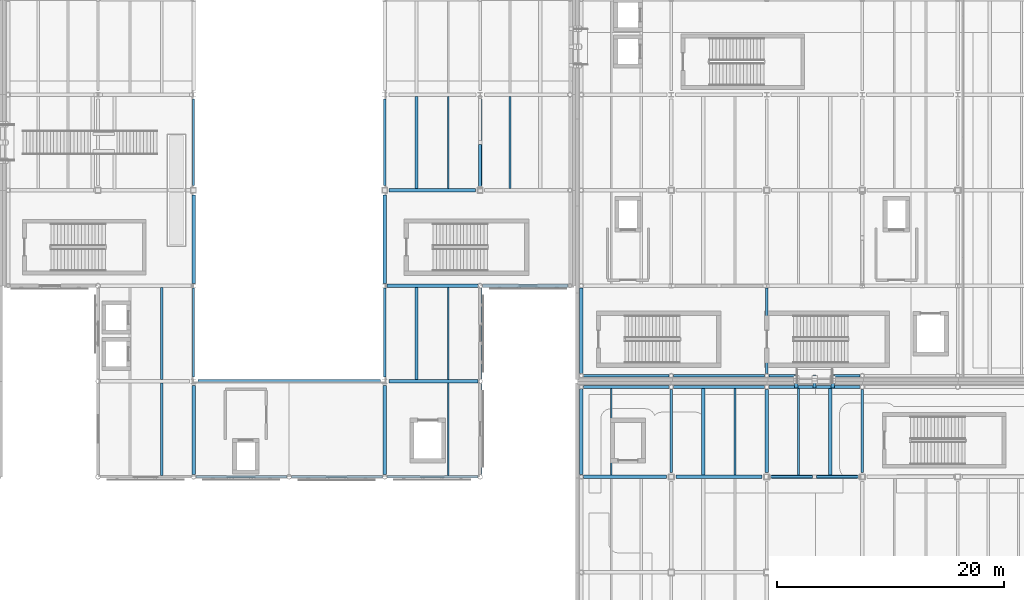
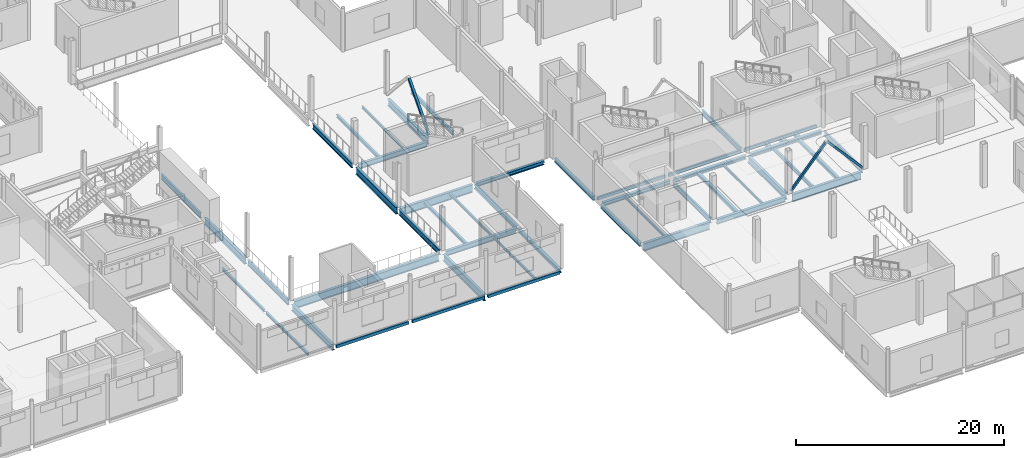
# One storey, part 24 of 104: 50 beams, 3 members.
"""IFC4 building model written with IfcOpenShell, lengths in metres."""

from ifc_helpers import new_model, si_unit, direction, frame, origin, origin_2d, place, context, subcontext, project, spatial, hollow_rectangle, i_section, extrude, material, material_profile, profile_set, type_object, element, save


model = new_model("IFC4")

# Units and contexts
model_context = context("Model", 3, precision=1e-05, world=origin(), true_north=direction((0.0, 1.0)))
body_context = subcontext(model_context, "Body", "Model", "MODEL_VIEW")
ifc_project = project(units=[si_unit("LENGTHUNIT", "METRE"), si_unit("AREAUNIT", "SQUARE_METRE"), si_unit("VOLUMEUNIT", "CUBIC_METRE"), si_unit("PLANEANGLEUNIT", "RADIAN"), si_unit("MASSUNIT", "GRAM", prefix="KILO"), si_unit("THERMODYNAMICTEMPERATUREUNIT", "KELVIN")], contexts=[model_context])

# Site, building, storey
site_placement = place(None, origin())
site = spatial("IfcSite", under=ifc_project, at=site_placement, CompositionType="ELEMENT")
building_placement = place(site_placement, origin())
building = spatial("IfcBuilding", under=site, at=building_placement, Name="Lustrewick Department Store", CompositionType="ELEMENT")
storey_placement = place(building_placement, frame((0.0, 0.0, 11.39990234375)))
storey = spatial("IfcBuildingStorey", under=building, at=storey_placement, Name="L03", CompositionType="ELEMENT", Elevation=11.39990234375)

# Beams
ifc_material_1 = material(Name="Structural steel Q355B", Category="steel")
ifc_material_profile_1 = material_profile(ifc_material_1, i_section(OverallWidth=0.199951171875, OverallDepth=0.449951171875, WebThickness=0.009033203125, FlangeThickness=0.013916015625, FilletRadius=0.01611328125, at=origin_2d()), Name="HN 450x200x9x14")
ifc_profile_set_1 = profile_set([ifc_material_profile_1], Name="Structural steel Q355B")
beam_type_1 = type_object("IfcBeamType", Name="B03", PredefinedType="JOIST", material=ifc_profile_set_1)
beam_1_placement = place(storey_placement, frame((103.433349609375, 67.35107421875, -0.47998046875), z_axis=(0.0, 1.0, 0.0), x_axis=(-1.0, 0.0, 0.0)))
element("IfcBeam", 1, at=beam_1_placement, inside=storey, type_object=beam_type_1, Name="L03 V2 Secondary Joist B03", PredefinedType="JOIST", context=body_context, shape_type="SweptSolid", body=[
    extrude(i_section(OverallWidth=0.199951171875, OverallDepth=0.449951171875, WebThickness=0.009033203125, FlangeThickness=0.013916015625, FilletRadius=0.01611328125, at=origin_2d()), origin(), (0.0, 0.0, 1.0), 8.098876953125),
])
beam_2_placement = place(storey_placement, frame((128.800048828125, 42.15087890625, -0.47998046875), z_axis=(0.0, 1.0, 0.0), x_axis=(-1.0, 0.0, 0.0)))
element("IfcBeam", 2, at=beam_2_placement, inside=storey, type_object=beam_type_1, Name="L03 V3 Secondary Joist B03", PredefinedType="JOIST", context=body_context, shape_type="SweptSolid", body=[
    extrude(i_section(OverallWidth=0.199951171875, OverallDepth=0.449951171875, WebThickness=0.009033203125, FlangeThickness=0.013916015625, FilletRadius=0.01611328125, at=origin_2d()), origin(), (0.0, 0.0, 1.0), 7.59912109375),
])
ifc_material_profile_2 = material_profile(ifc_material_1, i_section(OverallWidth=0.300048828125, OverallDepth=0.389892578125, WebThickness=0.010009765625, FlangeThickness=0.01611328125, FilletRadius=0.01806640625, at=origin_2d()), Name="HM 390x300x10x16")
ifc_profile_set_2 = profile_set([ifc_material_profile_2], Name="Structural steel Q355B")
beam_type_2 = type_object("IfcBeamType", Name="B07", PredefinedType="JOIST", material=ifc_profile_set_2)
for number, where, z_axis, x_axis, name in (
    (3, (120.39990234375, 42.15087890625, -0.449951171875), (0.0, 1.0, 0.0), (-1.0, 0.0, 0.0), "L03 V3 Secondary Joist B07"),
    (4, (131.60009765625, 42.15087890625, -0.449951171875), (0.0, 1.0, 0.0), (-1.0, 0.0, 0.0), "L03 V3 Secondary Joist B07"),
):
    element("IfcBeam", number, at=place(storey_placement, frame(where, z_axis=z_axis, x_axis=x_axis)), inside=storey, type_object=beam_type_2, Name=name, PredefinedType="JOIST", context=body_context, shape_type="SweptSolid", body=[
        extrude(i_section(OverallWidth=0.300048828125, OverallDepth=0.389892578125, WebThickness=0.010009765625, FlangeThickness=0.01611328125, FilletRadius=0.01806640625, at=origin_2d()), origin(), (0.0, 0.0, 1.0), 7.59912109375),
    ])
ifc_material_profile_3 = material_profile(ifc_material_1, i_section(OverallWidth=0.25, OverallDepth=0.340087890625, WebThickness=0.009033203125, FlangeThickness=0.013916015625, FilletRadius=0.01611328125, at=origin_2d()), Name="HM 340x250x9x14")
ifc_profile_set_3 = profile_set([ifc_material_profile_3], Name="Structural steel Q355B")
beam_type_3 = type_object("IfcBeamType", Name="B08", PredefinedType="JOIST", material=ifc_profile_set_3)
for number, where, z_axis, x_axis, name in (
    (5, (95.199951171875, 50.551025390625, -0.4248046875), (0.0, 1.0, 0.0), (-1.0, 0.0, 0.0), "L03 V2 Secondary Joist B08"),
    (6, (95.199951171875, 67.35107421875, -0.4248046875), (0.0, 1.0, 0.0), (-1.0, 0.0, 0.0), "L03 V2 Secondary Joist B08"),
):
    element("IfcBeam", number, at=place(storey_placement, frame(where, z_axis=z_axis, x_axis=x_axis)), inside=storey, type_object=beam_type_3, Name=name, PredefinedType="JOIST", context=body_context, shape_type="SweptSolid", body=[
        extrude(i_section(OverallWidth=0.25, OverallDepth=0.340087890625, WebThickness=0.009033203125, FlangeThickness=0.013916015625, FilletRadius=0.01611328125, at=origin_2d()), origin(), (0.0, 0.0, 1.0), 8.097900390625),
    ])
ifc_material_profile_4 = material_profile(ifc_material_1, i_section(OverallWidth=0.14990234375, OverallDepth=0.300048828125, WebThickness=0.006591796875, FlangeThickness=0.009033203125, FilletRadius=0.011962890625, at=origin_2d()), Name="HN 300x150x6.5x9")
ifc_profile_set_4 = profile_set([ifc_material_profile_4], Name="Structural steel Q355B")
beam_type_4 = type_object("IfcBeamType", Name="B11", PredefinedType="JOIST", material=ifc_profile_set_4)
beam_3_placement = place(storey_placement, frame((123.199951171875, 42.15087890625, -0.40478515625), z_axis=(0.0, 1.0, 0.0), x_axis=(-1.0, 0.0, 0.0)))
element("IfcBeam", 7, at=beam_3_placement, inside=storey, type_object=beam_type_4, Name="L03 V3 Secondary Joist B11", PredefinedType="JOIST", context=body_context, shape_type="SweptSolid", body=[
    extrude(i_section(OverallWidth=0.14990234375, OverallDepth=0.300048828125, WebThickness=0.006591796875, FlangeThickness=0.009033203125, FilletRadius=0.011962890625, at=origin_2d()), origin(), (0.0, 0.0, 1.0), 7.59912109375),
])
ifc_material_profile_5 = material_profile(ifc_material_1, i_section(OverallWidth=0.14892578125, OverallDepth=0.298095703125, WebThickness=0.005615234375, FlangeThickness=0.008056640625, FilletRadius=0.011962890625, at=origin_2d()), Name="HN 298x149x5.5x8")
ifc_profile_set_5 = profile_set([ifc_material_profile_5], Name="Structural steel Q355B")
beam_type_5 = type_object("IfcBeamType", Name="B12", PredefinedType="JOIST", material=ifc_profile_set_5)
beam_4_placement = place(storey_placement, frame((98.0, 42.10009765625, -0.40380859375), z_axis=(0.0, 1.0, 0.0), x_axis=(-1.0, 0.0, 0.0)))
element("IfcBeam", 8, at=beam_4_placement, inside=storey, type_object=beam_type_5, Name="L03 V2 Secondary Joist B12", PredefinedType="JOIST", context=body_context, shape_type="SweptSolid", body=[
    extrude(i_section(OverallWidth=0.14892578125, OverallDepth=0.298095703125, WebThickness=0.005615234375, FlangeThickness=0.008056640625, FilletRadius=0.011962890625, at=origin_2d()), origin(), (0.0, 0.0, 1.0), 8.14892578125),
])
for number, where, z_axis, x_axis, name in (
    (9, (98.0, 50.551025390625, -0.40380859375), (0.0, 1.0, 0.0), (-1.0, 0.0, 0.0), "L03 V2 Secondary Joist B12"),
    (10, (98.0, 67.35107421875, -0.40380859375), (0.0, 1.0, 0.0), (-1.0, 0.0, 0.0), "L03 V2 Secondary Joist B12"),
):
    element("IfcBeam", number, at=place(storey_placement, frame(where, z_axis=z_axis, x_axis=x_axis)), inside=storey, type_object=beam_type_5, Name=name, PredefinedType="JOIST", context=body_context, shape_type="SweptSolid", body=[
        extrude(i_section(OverallWidth=0.14892578125, OverallDepth=0.298095703125, WebThickness=0.005615234375, FlangeThickness=0.008056640625, FilletRadius=0.011962890625, at=origin_2d()), origin(), (0.0, 0.0, 1.0), 8.097900390625),
    ])
beam_5_placement = place(storey_placement, frame((112.333251953125, 42.14990234375, -0.40380859375), z_axis=(0.0, 1.0, 0.0), x_axis=(-1.0, 0.0, 0.0)))
element("IfcBeam", 11, at=beam_5_placement, inside=storey, type_object=beam_type_5, Name="L03 V3 Secondary Joist B12", PredefinedType="JOIST", context=body_context, shape_type="SweptSolid", body=[
    extrude(i_section(OverallWidth=0.14892578125, OverallDepth=0.298095703125, WebThickness=0.005615234375, FlangeThickness=0.008056640625, FilletRadius=0.011962890625, at=origin_2d()), origin(), (0.0, 0.0, 1.0), 7.60009765625),
])
ifc_material_profile_6 = material_profile(ifc_material_1, i_section(OverallWidth=0.199951171875, OverallDepth=0.2939453125, WebThickness=0.008056640625, FlangeThickness=0.011962890625, FilletRadius=0.013916015625, at=origin_2d()), Name="HM 294x200x8x12")
ifc_profile_set_6 = profile_set([ifc_material_profile_6], Name="Structural steel Q355B")
beam_type_6 = type_object("IfcBeamType", Name="B13", PredefinedType="JOIST", material=ifc_profile_set_6)
beam_6_placement = place(storey_placement, frame((72.800048828125, 42.10009765625, -0.40185546875), z_axis=(0.0, 1.0, 0.0), x_axis=(-1.0, 0.0, 0.0)))
element("IfcBeam", 12, at=beam_6_placement, inside=storey, type_object=beam_type_6, Name="L03 V2 Secondary Joist B13", PredefinedType="JOIST", context=body_context, shape_type="SweptSolid", body=[
    extrude(i_section(OverallWidth=0.199951171875, OverallDepth=0.2939453125, WebThickness=0.008056640625, FlangeThickness=0.011962890625, FilletRadius=0.013916015625, at=origin_2d()), origin(), (0.0, 0.0, 1.0), 8.14990234375),
])
beam_7_placement = place(storey_placement, frame((72.800048828125, 50.550048828125, -0.40185546875), z_axis=(0.0, 1.0, 0.0), x_axis=(-1.0, 0.0, 0.0)))
element("IfcBeam", 13, at=beam_7_placement, inside=storey, type_object=beam_type_6, Name="L03 V2 Secondary Joist B13", PredefinedType="JOIST", context=body_context, shape_type="SweptSolid", body=[
    extrude(i_section(OverallWidth=0.199951171875, OverallDepth=0.2939453125, WebThickness=0.008056640625, FlangeThickness=0.011962890625, FilletRadius=0.013916015625, at=origin_2d()), origin(), (0.0, 0.0, 1.0), 8.098876953125),
])

# Members
ifc_material_2 = material(Name="Structural steel Q355C", Category="steel")
ifc_material_profile_7 = material_profile(ifc_material_2, hollow_rectangle(XDim=0.25, YDim=0.25, WallThickness=0.010009765625, at=origin_2d()), Name="SHS 250x250x10")
ifc_profile_set_7 = profile_set([ifc_material_profile_7], Name="Structural steel Q355C")
member_type_1 = type_object("IfcMemberType", Name="BR07", PredefinedType="BRACE", material=ifc_profile_set_7)
member_1_placement = place(storey_placement, frame((100.800048828125, 67.449951171875, 0.150146484375), z_axis=(0.0, 0.663198849399, 0.748443241773), x_axis=(-1.0, 0.0, 0.0)))
element("IfcMember", 14, at=member_1_placement, inside=storey, type_object=member_type_1, Name="L03 V2 Chevron Brace BR07", PredefinedType="BRACE", context=body_context, shape_type="SweptSolid", body=[
    extrude(hollow_rectangle(XDim=0.25, YDim=0.25, WallThickness=0.010009765625, at=origin_2d()), origin(), (0.0, 0.0, 1.0), 5.805419921875),
])
ifc_material_profile_8 = material_profile(ifc_material_1, hollow_rectangle(XDim=0.219970703125, YDim=0.219970703125, WallThickness=0.010009765625, at=origin_2d()), Name="SHS 220x220x10")
ifc_profile_set_8 = profile_set([ifc_material_profile_8], Name="Structural steel Q355B")
member_type_2 = type_object("IfcMemberType", Name="BR08", PredefinedType="BRACE", material=ifc_profile_set_8)
member_2_placement = place(storey_placement, frame((126.25, 42.0, 0.150146484375), z_axis=(0.663198849399, 0.0, 0.748443241773), x_axis=(0.0, 1.0, 0.0)))
element("IfcMember", 15, at=member_2_placement, inside=storey, type_object=member_type_2, Name="L03 V3 Chevron Brace BR08", PredefinedType="BRACE", context=body_context, shape_type="SweptSolid", body=[
    extrude(hollow_rectangle(XDim=0.219970703125, YDim=0.219970703125, WallThickness=0.010009765625, at=origin_2d()), origin(), (0.0, 0.0, 1.0), 5.805419921875),
])
member_3_placement = place(storey_placement, frame((134.14990234375, 42.0, 0.150146484375), z_axis=(-0.66317529088, 0.0, 0.748464116418), x_axis=(0.0, -1.0, 0.0)))
element("IfcMember", 16, at=member_3_placement, inside=storey, type_object=member_type_2, Name="L03 V3 Chevron Brace BR08", PredefinedType="BRACE", context=body_context, shape_type="SweptSolid", body=[
    extrude(hollow_rectangle(XDim=0.219970703125, YDim=0.219970703125, WallThickness=0.010009765625, at=origin_2d()), origin(), (0.0, 0.0, 1.0), 5.80517578125),
])

# Beams
ifc_material_profile_9 = material_profile(ifc_material_2, i_section(OverallWidth=0.302001953125, OverallDepth=0.912109375, WebThickness=0.01806640625, FlangeThickness=0.033935546875, FilletRadius=0.02392578125, at=origin_2d()), Name="HN 912x302x18x34")
ifc_profile_set_9 = profile_set([ifc_material_profile_9], Name="Structural steel Q355C")
beam_type_7 = type_object("IfcBeamType", Name="G01", PredefinedType="BEAM", material=ifc_profile_set_9)
beam_8_placement = place(storey_placement, frame((92.6025390625, 58.800048828125, -0.7109375), z_axis=(1.0, 0.0, 0.0), x_axis=(0.0, 1.0, 0.0)))
element("IfcBeam", 17, at=beam_8_placement, inside=storey, type_object=beam_type_7, Name="L03 V2 Girder G01", PredefinedType="BEAM", context=body_context, shape_type="SweptSolid", body=[
    extrude(i_section(OverallWidth=0.302001953125, OverallDepth=0.912109375, WebThickness=0.01806640625, FlangeThickness=0.033935546875, FilletRadius=0.02392578125, at=origin_2d()), origin(), (0.0, 0.0, 1.0), 7.994384765625),
])
beam_9_placement = place(storey_placement, frame((126.39990234375, 42.0, -0.7109375), z_axis=(1.0, 0.0, 0.0), x_axis=(0.0, 1.0, 0.0)))
element("IfcBeam", 18, at=beam_9_placement, inside=storey, type_object=beam_type_7, Name="L03 V3 Girder G01", PredefinedType="BEAM", context=body_context, shape_type="SweptSolid", body=[
    extrude(i_section(OverallWidth=0.302001953125, OverallDepth=0.912109375, WebThickness=0.01806640625, FlangeThickness=0.033935546875, FilletRadius=0.02392578125, at=origin_2d()), origin(), (0.0, 0.0, 1.0), 7.60009765625),
])
ifc_material_profile_10 = material_profile(ifc_material_2, i_section(OverallWidth=0.300048828125, OverallDepth=0.89990234375, WebThickness=0.01611328125, FlangeThickness=0.028076171875, FilletRadius=0.02392578125, at=origin_2d()), Name="HN 900x300x16x28")
ifc_profile_set_10 = profile_set([ifc_material_profile_10], Name="Structural steel Q355C")
beam_type_8 = type_object("IfcBeamType", Name="G02", PredefinedType="BEAM", material=ifc_profile_set_10)
beam_10_placement = place(storey_placement, frame((75.97509765625, 50.39990234375, -0.704833984375), z_axis=(1.0, 0.0, 0.0), x_axis=(0.0, 1.0, 0.0)))
element("IfcBeam", 19, at=beam_10_placement, inside=storey, type_object=beam_type_8, Name="L03 V2 Girder G02", PredefinedType="BEAM", context=body_context, shape_type="SweptSolid", body=[
    extrude(i_section(OverallWidth=0.300048828125, OverallDepth=0.89990234375, WebThickness=0.01611328125, FlangeThickness=0.028076171875, FilletRadius=0.02392578125, at=origin_2d()), origin(), (0.0, 0.0, 1.0), 16.0498046875),
])
beam_11_placement = place(storey_placement, frame((109.888427734375, 42.0, -0.704833984375), z_axis=(1.0, 0.0, 0.0), x_axis=(0.0, 1.0, 0.0)))
element("IfcBeam", 20, at=beam_11_placement, inside=storey, type_object=beam_type_8, Name="L03 V3 Girder G02", PredefinedType="BEAM", context=body_context, shape_type="SweptSolid", body=[
    extrude(i_section(OverallWidth=0.300048828125, OverallDepth=0.89990234375, WebThickness=0.01611328125, FlangeThickness=0.028076171875, FilletRadius=0.02392578125, at=origin_2d()), origin(), (0.0, 0.0, 1.0), 7.3115234375),
])
ifc_material_profile_11 = material_profile(ifc_material_1, i_section(OverallWidth=0.300048828125, OverallDepth=0.7919921875, WebThickness=0.013916015625, FlangeThickness=0.02197265625, FilletRadius=0.02197265625, at=origin_2d()), Name="HN 792x300x14x22")
ifc_profile_set_11 = profile_set([ifc_material_profile_11], Name="Structural steel Q355B")
beam_type_9 = type_object("IfcBeamType", Name="G06", PredefinedType="BEAM", material=ifc_profile_set_11)
beam_12_placement = place(storey_placement, frame((75.60009765625, 59.007080078125, -0.65087890625), z_axis=(0.0, 1.0, 0.0), x_axis=(-1.0, 0.0, 0.0)))
element("IfcBeam", 21, at=beam_12_placement, inside=storey, type_object=beam_type_9, Name="L03 V2 Girder G06", PredefinedType="BEAM", context=body_context, shape_type="SweptSolid", body=[
    extrude(i_section(OverallWidth=0.300048828125, OverallDepth=0.7919921875, WebThickness=0.013916015625, FlangeThickness=0.02197265625, FilletRadius=0.02197265625, at=origin_2d()), origin(), (0.0, 0.0, 1.0), 7.79296875),
])
beam_13_placement = place(storey_placement, frame((92.39990234375, 42.202880859375, -0.65087890625), z_axis=(0.0, 1.0, 0.0), x_axis=(-1.0, 0.0, 0.0)))
element("IfcBeam", 22, at=beam_13_placement, inside=storey, type_object=beam_type_9, Name="L03 V2 Girder G06", PredefinedType="BEAM", context=body_context, shape_type="SweptSolid", body=[
    extrude(i_section(OverallWidth=0.300048828125, OverallDepth=0.7919921875, WebThickness=0.013916015625, FlangeThickness=0.02197265625, FilletRadius=0.02197265625, at=origin_2d()), origin(), (0.0, 0.0, 1.0), 7.822021484375),
])
beam_14_placement = place(storey_placement, frame((92.39990234375, 59.007080078125, -0.65087890625), z_axis=(0.0, 1.0, 0.0), x_axis=(-1.0, 0.0, 0.0)))
element("IfcBeam", 23, at=beam_14_placement, inside=storey, type_object=beam_type_9, Name="L03 V2 Girder G06", PredefinedType="BEAM", context=body_context, shape_type="SweptSolid", body=[
    extrude(i_section(OverallWidth=0.300048828125, OverallDepth=0.7919921875, WebThickness=0.013916015625, FlangeThickness=0.02197265625, FilletRadius=0.02197265625, at=origin_2d()), origin(), (0.0, 0.0, 1.0), 7.79296875),
])
beam_15_placement = place(storey_placement, frame((100.800048828125, 67.60009765625, -0.65087890625), z_axis=(0.0, 1.0, 0.0), x_axis=(-1.0, 0.0, 0.0)))
element("IfcBeam", 24, at=beam_15_placement, inside=storey, type_object=beam_type_9, Name="L03 V2 Girder G06", PredefinedType="BEAM", context=body_context, shape_type="SweptSolid", body=[
    extrude(i_section(OverallWidth=0.300048828125, OverallDepth=0.7919921875, WebThickness=0.013916015625, FlangeThickness=0.02197265625, FilletRadius=0.02197265625, at=origin_2d()), origin(), (0.0, 0.0, 1.0), 7.625),
])
beam_16_placement = place(storey_placement, frame((126.0, 42.39990234375, -0.65087890625), z_axis=(0.0, 1.0, 0.0), x_axis=(-1.0, 0.0, 0.0)))
element("IfcBeam", 25, at=beam_16_placement, inside=storey, type_object=beam_type_9, Name="L03 V3 Girder G06", PredefinedType="BEAM", context=body_context, shape_type="SweptSolid", body=[
    extrude(i_section(OverallWidth=0.300048828125, OverallDepth=0.7919921875, WebThickness=0.013916015625, FlangeThickness=0.02197265625, FilletRadius=0.02197265625, at=origin_2d()), origin(), (0.0, 0.0, 1.0), 7.297119140625),
])
ifc_material_profile_12 = material_profile(ifc_material_2, i_section(OverallWidth=0.302001953125, OverallDepth=0.7080078125, WebThickness=0.014892578125, FlangeThickness=0.028076171875, FilletRadius=0.02001953125, at=origin_2d()), Name="HN 708x302x15x28")
ifc_profile_set_12 = profile_set([ifc_material_profile_12], Name="Structural steel Q355C")
beam_type_10 = type_object("IfcBeamType", Name="G07", PredefinedType="BEAM", material=ifc_profile_set_12)
beam_17_placement = place(storey_placement, frame((75.60009765625, 42.202880859375, -0.60888671875), z_axis=(0.0, 1.0, 0.0), x_axis=(-1.0, 0.0, 0.0)))
element("IfcBeam", 26, at=beam_17_placement, inside=storey, type_object=beam_type_10, Name="L03 V2 Girder G07", PredefinedType="BEAM", context=body_context, shape_type="SweptSolid", body=[
    extrude(i_section(OverallWidth=0.302001953125, OverallDepth=0.7080078125, WebThickness=0.014892578125, FlangeThickness=0.028076171875, FilletRadius=0.02001953125, at=origin_2d()), origin(), (0.0, 0.0, 1.0), 7.822021484375),
])
ifc_material_profile_13 = material_profile(ifc_material_1, i_section(OverallWidth=0.302001953125, OverallDepth=0.593994140625, WebThickness=0.013916015625, FlangeThickness=0.02294921875, FilletRadius=0.02392578125, at=origin_2d()), Name="HM 594x302x14x23")
ifc_profile_set_13 = profile_set([ifc_material_profile_13], Name="Structural steel Q355B")
beam_type_11 = type_object("IfcBeamType", Name="G10", PredefinedType="BEAM", material=ifc_profile_set_13)
beam_18_placement = place(storey_placement, frame((92.77490234375, 50.39990234375, -0.552001953125), z_axis=(1.0, 0.0, 0.0), x_axis=(0.0, 1.0, 0.0)))
element("IfcBeam", 27, at=beam_18_placement, inside=storey, type_object=beam_type_11, Name="L03 V2 Girder G10", PredefinedType="BEAM", context=body_context, shape_type="SweptSolid", body=[
    extrude(i_section(OverallWidth=0.302001953125, OverallDepth=0.593994140625, WebThickness=0.013916015625, FlangeThickness=0.02294921875, FilletRadius=0.02392578125, at=origin_2d()), origin(), (0.0, 0.0, 1.0), 7.836669921875),
])
beam_19_placement = place(storey_placement, frame((92.800048828125, 67.199951171875, -0.552001953125), z_axis=(1.0, 0.0, 0.0), x_axis=(0.0, 1.0, 0.0)))
element("IfcBeam", 28, at=beam_19_placement, inside=storey, type_object=beam_type_11, Name="L03 V2 Girder G10", PredefinedType="BEAM", context=body_context, shape_type="SweptSolid", body=[
    extrude(i_section(OverallWidth=0.302001953125, OverallDepth=0.593994140625, WebThickness=0.013916015625, FlangeThickness=0.02294921875, FilletRadius=0.02392578125, at=origin_2d()), origin(), (0.0, 0.0, 1.0), 7.599853515625),
])
beam_20_placement = place(storey_placement, frame((118.0, 42.0, -0.552001953125), z_axis=(1.0, 0.0, 0.0), x_axis=(0.0, 1.0, 0.0)))
element("IfcBeam", 29, at=beam_20_placement, inside=storey, type_object=beam_type_11, Name="L03 V3 Girder G10", PredefinedType="BEAM", context=body_context, shape_type="SweptSolid", body=[
    extrude(i_section(OverallWidth=0.302001953125, OverallDepth=0.593994140625, WebThickness=0.013916015625, FlangeThickness=0.02294921875, FilletRadius=0.02392578125, at=origin_2d()), origin(), (0.0, 0.0, 1.0), 7.60009765625),
])
ifc_material_profile_14 = material_profile(ifc_material_1, i_section(OverallWidth=0.199951171875, OverallDepth=0.60009765625, WebThickness=0.010986328125, FlangeThickness=0.01708984375, FilletRadius=0.01806640625, at=origin_2d()), Name="HN 600x200x11x17")
ifc_profile_set_14 = profile_set([ifc_material_profile_14], Name="Structural steel Q355B")
beam_type_12 = type_object("IfcBeamType", Name="G14", PredefinedType="BEAM", material=ifc_profile_set_14)
beam_21_placement = place(storey_placement, frame((134.39990234375, 42.39990234375, -0.554931640625), z_axis=(0.0, 1.0, 0.0), x_axis=(-1.0, 0.0, 0.0)))
element("IfcBeam", 30, at=beam_21_placement, inside=storey, type_object=beam_type_12, Name="L03 V3 Girder G14", PredefinedType="BEAM", context=body_context, shape_type="SweptSolid", body=[
    extrude(i_section(OverallWidth=0.199951171875, OverallDepth=0.60009765625, WebThickness=0.010986328125, FlangeThickness=0.01708984375, FilletRadius=0.01806640625, at=origin_2d()), origin(), (0.0, 0.0, 1.0), 7.297119140625),
])
ifc_material_profile_15 = material_profile(ifc_material_1, i_section(OverallWidth=0.198974609375, OverallDepth=0.595947265625, WebThickness=0.010009765625, FlangeThickness=0.014892578125, FilletRadius=0.01806640625, at=origin_2d()), Name="HN 596x199x10x15")
ifc_profile_set_15 = profile_set([ifc_material_profile_15], Name="Structural steel Q355B")
beam_type_13 = type_object("IfcBeamType", Name="G15", PredefinedType="BEAM", material=ifc_profile_set_15)
beam_22_placement = place(storey_placement, frame((75.60009765625, 50.77490234375, -0.552978515625), z_axis=(0.0, 1.0, 0.0), x_axis=(-1.0, 0.0, 0.0)))
element("IfcBeam", 31, at=beam_22_placement, inside=storey, type_object=beam_type_13, Name="L03 V2 Girder G15", PredefinedType="BEAM", context=body_context, shape_type="SweptSolid", body=[
    extrude(i_section(OverallWidth=0.198974609375, OverallDepth=0.595947265625, WebThickness=0.010009765625, FlangeThickness=0.014892578125, FilletRadius=0.01806640625, at=origin_2d()), origin(), (0.0, 0.0, 1.0), 7.818115234375),
])
beam_23_placement = place(storey_placement, frame((75.60009765625, 67.60009765625, -0.552978515625), z_axis=(0.0, 1.0, 0.0), x_axis=(-1.0, 0.0, 0.0)))
element("IfcBeam", 32, at=beam_23_placement, inside=storey, type_object=beam_type_13, Name="L03 V2 Girder G15", PredefinedType="BEAM", context=body_context, shape_type="SweptSolid", body=[
    extrude(i_section(OverallWidth=0.198974609375, OverallDepth=0.595947265625, WebThickness=0.010009765625, FlangeThickness=0.014892578125, FilletRadius=0.01806640625, at=origin_2d()), origin(), (0.0, 0.0, 1.0), 7.625),
])
beam_24_placement = place(storey_placement, frame((92.39990234375, 50.77490234375, -0.552978515625), z_axis=(0.0, 1.0, 0.0), x_axis=(-1.0, 0.0, 0.0)))
element("IfcBeam", 33, at=beam_24_placement, inside=storey, type_object=beam_type_13, Name="L03 V2 Girder G15", PredefinedType="BEAM", context=body_context, shape_type="SweptSolid", body=[
    extrude(i_section(OverallWidth=0.198974609375, OverallDepth=0.595947265625, WebThickness=0.010009765625, FlangeThickness=0.014892578125, FilletRadius=0.01806640625, at=origin_2d()), origin(), (0.0, 0.0, 1.0), 7.818115234375),
])
beam_25_placement = place(storey_placement, frame((92.39990234375, 67.60009765625, -0.552978515625), z_axis=(0.0, 1.0, 0.0), x_axis=(-1.0, 0.0, 0.0)))
element("IfcBeam", 34, at=beam_25_placement, inside=storey, type_object=beam_type_13, Name="L03 V2 Girder G15", PredefinedType="BEAM", context=body_context, shape_type="SweptSolid", body=[
    extrude(i_section(OverallWidth=0.198974609375, OverallDepth=0.595947265625, WebThickness=0.010009765625, FlangeThickness=0.014892578125, FilletRadius=0.01806640625, at=origin_2d()), origin(), (0.0, 0.0, 1.0), 7.625),
])
beam_26_placement = place(storey_placement, frame((117.60009765625, 42.39990234375, -0.552978515625), z_axis=(0.0, 1.0, 0.0), x_axis=(-1.0, 0.0, 0.0)))
element("IfcBeam", 35, at=beam_26_placement, inside=storey, type_object=beam_type_13, Name="L03 V3 Girder G15", PredefinedType="BEAM", context=body_context, shape_type="SweptSolid", body=[
    extrude(i_section(OverallWidth=0.198974609375, OverallDepth=0.595947265625, WebThickness=0.010009765625, FlangeThickness=0.014892578125, FilletRadius=0.01806640625, at=origin_2d()), origin(), (0.0, 0.0, 1.0), 7.297119140625),
])
beam_27_placement = place(storey_placement, frame((126.0, 51.08837890625, -0.552978515625), z_axis=(0.0, 1.0, 0.0), x_axis=(-1.0, 0.0, 0.0)))
element("IfcBeam", 36, at=beam_27_placement, inside=storey, type_object=beam_type_13, Name="L03 V4 Girder G15", PredefinedType="BEAM", context=body_context, shape_type="SweptSolid", body=[
    extrude(i_section(OverallWidth=0.198974609375, OverallDepth=0.595947265625, WebThickness=0.010009765625, FlangeThickness=0.014892578125, FilletRadius=0.01806640625, at=origin_2d()), origin(), (0.0, 0.0, 1.0), 7.504638671875),
])
ifc_material_profile_16 = material_profile(ifc_material_1, i_section(OverallWidth=0.300048828125, OverallDepth=0.488037109375, WebThickness=0.010986328125, FlangeThickness=0.01806640625, FilletRadius=0.02197265625, at=origin_2d()), Name="HM 488x300x11x18")
ifc_profile_set_16 = profile_set([ifc_material_profile_16], Name="Structural steel Q355B")
beam_type_14 = type_object("IfcBeamType", Name="G16", PredefinedType="BEAM", material=ifc_profile_set_16)
for number, where, z_axis, x_axis, name in (
    (37, (128.60009765625, 49.800048828125, -0.4990234375), (0.0, 1.0, 0.0), (-1.0, 0.0, 0.0), "L03 Skybridge SB34 Girder 1"),
    (38, (131.800048828125, 49.800048828125, -0.4990234375), (0.0, 1.0, 0.0), (-1.0, 0.0, 0.0), "L03 Skybridge SB34 Girder 2"),
    (39, (130.199951171875, 49.800048828125, -0.4990234375), (0.0, 1.0, 0.0), (-1.0, 0.0, 0.0), "L03 Skybridge SB34 Girder 3"),
):
    element("IfcBeam", number, at=place(storey_placement, frame(where, z_axis=z_axis, x_axis=x_axis)), inside=storey, type_object=beam_type_14, Name=name, PredefinedType="BEAM", context=body_context, shape_type="SweptSolid", body=[
        extrude(i_section(OverallWidth=0.300048828125, OverallDepth=0.488037109375, WebThickness=0.010986328125, FlangeThickness=0.01806640625, FilletRadius=0.02197265625, at=origin_2d()), origin(), (0.0, 0.0, 1.0), 1.139892578125),
    ])
ifc_material_profile_17 = material_profile(ifc_material_1, i_section(OverallWidth=0.300048828125, OverallDepth=0.43994140625, WebThickness=0.010986328125, FlangeThickness=0.01806640625, FilletRadius=0.02001953125, at=origin_2d()), Name="HM 440x300x11x18")
ifc_profile_set_17 = profile_set([ifc_material_profile_17], Name="Structural steel Q355B")
beam_type_15 = type_object("IfcBeamType", Name="SP02", PredefinedType="SPANDREL", material=ifc_profile_set_17)
beam_28_placement = place(storey_placement, frame((101.0029296875, 58.800048828125, -0.474853515625), z_axis=(1.0, 0.0, 0.0), x_axis=(0.0, 1.0, 0.0)))
element("IfcBeam", 40, at=beam_28_placement, inside=storey, type_object=beam_type_15, Name="L03 V2 Girder SP02", PredefinedType="SPANDREL", context=body_context, shape_type="SweptSolid", body=[
    extrude(i_section(OverallWidth=0.300048828125, OverallDepth=0.43994140625, WebThickness=0.010986328125, FlangeThickness=0.01806640625, FilletRadius=0.02001953125, at=origin_2d()), origin(), (0.0, 0.0, 1.0), 7.508544921875),
])
for number, where, z_axis, x_axis, name in (
    (41, (100.800048828125, 42.202880859375, -0.474853515625), (0.0, 1.0, 0.0), (-1.0, 0.0, 0.0), "L03 V2 Girder SP02"),
    (42, (100.800048828125, 50.58837890625, -0.474853515625), (0.0, 1.0, 0.0), (-1.0, 0.0, 0.0), "L03 V2 Girder SP02"),
):
    element("IfcBeam", number, at=place(storey_placement, frame(where, z_axis=z_axis, x_axis=x_axis)), inside=storey, type_object=beam_type_15, Name=name, PredefinedType="SPANDREL", context=body_context, shape_type="SweptSolid", body=[
        extrude(i_section(OverallWidth=0.300048828125, OverallDepth=0.43994140625, WebThickness=0.010986328125, FlangeThickness=0.01806640625, FilletRadius=0.02001953125, at=origin_2d()), origin(), (0.0, 0.0, 1.0), 8.008544921875),
    ])
beam_29_placement = place(storey_placement, frame((109.888427734375, 49.89990234375, -0.474853515625), z_axis=(1.0, 0.0, 0.0), x_axis=(0.0, 1.0, 0.0)))
element("IfcBeam", 43, at=beam_29_placement, inside=storey, type_object=beam_type_15, Name="L03 V3 Girder SP02", PredefinedType="SPANDREL", context=body_context, shape_type="SweptSolid", body=[
    extrude(i_section(OverallWidth=0.300048828125, OverallDepth=0.43994140625, WebThickness=0.010986328125, FlangeThickness=0.01806640625, FilletRadius=0.02001953125, at=origin_2d()), origin(), (0.0, 0.0, 1.0), 7.508544921875),
])
for number, where, z_axis, x_axis, name in (
    (44, (117.802978515625, 49.89990234375, -0.474853515625), (1.0, 0.0, 0.0), (0.0, 1.0, 0.0), "L03 V3 Girder SP02"),
    (45, (126.202880859375, 49.89990234375, -0.474853515625), (1.0, 0.0, 0.0), (0.0, 1.0, 0.0), "L03 V3 Girder SP02"),
):
    element("IfcBeam", number, at=place(storey_placement, frame(where, z_axis=z_axis, x_axis=x_axis)), inside=storey, type_object=beam_type_15, Name=name, PredefinedType="SPANDREL", context=body_context, shape_type="SweptSolid", body=[
        extrude(i_section(OverallWidth=0.300048828125, OverallDepth=0.43994140625, WebThickness=0.010986328125, FlangeThickness=0.01806640625, FilletRadius=0.02001953125, at=origin_2d()), origin(), (0.0, 0.0, 1.0), 7.994140625),
    ])
beam_30_placement = place(storey_placement, frame((109.699951171875, 42.1884765625, -0.474853515625), z_axis=(0.0, 1.0, 0.0), x_axis=(-1.0, 0.0, 0.0)))
element("IfcBeam", 46, at=beam_30_placement, inside=storey, type_object=beam_type_15, Name="L03 V3 Girder SP02", PredefinedType="SPANDREL", context=body_context, shape_type="SweptSolid", body=[
    extrude(i_section(OverallWidth=0.300048828125, OverallDepth=0.43994140625, WebThickness=0.010986328125, FlangeThickness=0.01806640625, FilletRadius=0.02001953125, at=origin_2d()), origin(), (0.0, 0.0, 1.0), 7.52294921875),
])
beam_31_placement = place(storey_placement, frame((109.699951171875, 51.10302734375, -0.474853515625), z_axis=(0.0, 1.0, 0.0), x_axis=(-1.0, 0.0, 0.0)))
element("IfcBeam", 47, at=beam_31_placement, inside=storey, type_object=beam_type_15, Name="L03 V4 Girder SP02", PredefinedType="SPANDREL", context=body_context, shape_type="SweptSolid", body=[
    extrude(i_section(OverallWidth=0.300048828125, OverallDepth=0.43994140625, WebThickness=0.010986328125, FlangeThickness=0.01806640625, FilletRadius=0.02001953125, at=origin_2d()), origin(), (0.0, 0.0, 1.0), 7.508544921875),
])
ifc_material_profile_18 = material_profile(ifc_material_2, hollow_rectangle(XDim=0.199951171875, YDim=0.35009765625, WallThickness=0.011962890625, at=origin_2d()), Name="RHS 350x200x12")
ifc_profile_set_18 = profile_set([ifc_material_profile_18], Name="Structural steel Q355C")
beam_type_16 = type_object("IfcBeamType", Name="SP03", PredefinedType="SPANDREL", material=ifc_profile_set_18)
for number, where, z_axis, x_axis, name in (
    (48, (75.802978515625, 42.0, -0.429931640625), (1.0, 0.0, 0.0), (0.0, 1.0, 0.0), "L03 V2 Girder SP03"),
    (49, (84.202880859375, 42.0, -0.429931640625), (1.0, 0.0, 0.0), (0.0, 1.0, 0.0), "L03 V2 Girder SP03"),
):
    element("IfcBeam", number, at=place(storey_placement, frame(where, z_axis=z_axis, x_axis=x_axis)), inside=storey, type_object=beam_type_16, Name=name, PredefinedType="SPANDREL", context=body_context, shape_type="SweptSolid", body=[
        extrude(hollow_rectangle(XDim=0.199951171875, YDim=0.35009765625, WallThickness=0.011962890625, at=origin_2d()), origin(), (0.0, 0.0, 1.0), 7.994140625),
    ])
beam_32_placement = place(storey_placement, frame((92.60302734375, 42.0, -0.429931640625), z_axis=(1.0, 0.0, 0.0), x_axis=(0.0, 1.0, 0.0)))
element("IfcBeam", 50, at=beam_32_placement, inside=storey, type_object=beam_type_16, Name="L03 V2 Girder SP03", PredefinedType="SPANDREL", context=body_context, shape_type="SweptSolid", body=[
    extrude(hollow_rectangle(XDim=0.199951171875, YDim=0.35009765625, WallThickness=0.011962890625, at=origin_2d()), origin(), (0.0, 0.0, 1.0), 7.993896484375),
])
beam_33_placement = place(storey_placement, frame((109.903076171875, 50.89990234375, -0.429931640625), z_axis=(1.0, 0.0, 0.0), x_axis=(0.0, 1.0, 0.0)))
element("IfcBeam", 51, at=beam_33_placement, inside=storey, type_object=beam_type_16, Name="L03 V4 Girder SP03", PredefinedType="SPANDREL", context=body_context, shape_type="SweptSolid", body=[
    extrude(hollow_rectangle(XDim=0.199951171875, YDim=0.35009765625, WallThickness=0.011962890625, at=origin_2d()), origin(), (0.0, 0.0, 1.0), 7.508544921875),
])
for number, where, z_axis, x_axis, name in (
    (52, (117.78857421875, 50.89990234375, -0.429931640625), (1.0, 0.0, 0.0), (0.0, 1.0, 0.0), "L03 V4 Girder SP03"),
    (53, (126.1884765625, 50.89990234375, -0.429931640625), (1.0, 0.0, 0.0), (0.0, 1.0, 0.0), "L03 V4 Girder SP03"),
):
    element("IfcBeam", number, at=place(storey_placement, frame(where, z_axis=z_axis, x_axis=x_axis)), inside=storey, type_object=beam_type_16, Name=name, PredefinedType="SPANDREL", context=body_context, shape_type="SweptSolid", body=[
        extrude(hollow_rectangle(XDim=0.199951171875, YDim=0.35009765625, WallThickness=0.011962890625, at=origin_2d()), origin(), (0.0, 0.0, 1.0), 8.02294921875),
    ])

save(model, "model.ifc")
